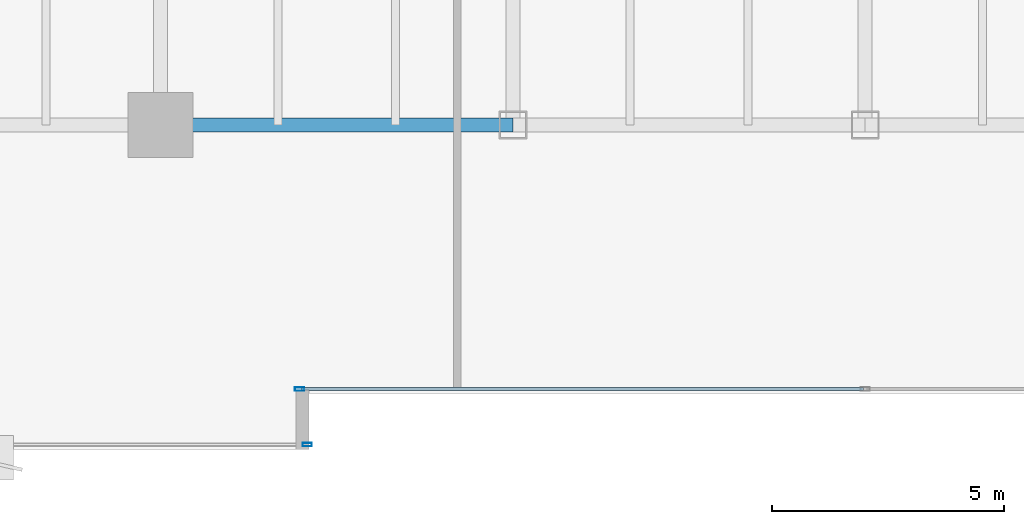
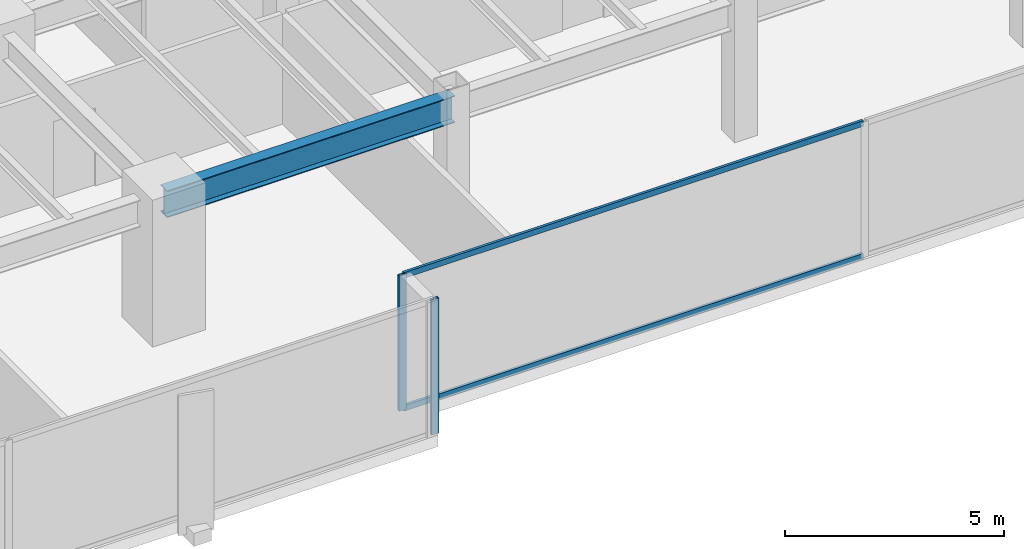
# One storey, part 4 of 36: 4 members, 1 beam, 2 elements without a shape of their own.
"""IFC4 building model written with IfcOpenShell, lengths in metres."""

from ifc_helpers import new_model, si_unit, direction, frame, origin, origin_2d, place, context, subcontext, project, spatial, hollow_rectangle, i_section, extrude, source, transform, mapped, material, layer, layer_set, material_profile, profile_set, type_object, type_shapes, element, aggregate, save


model = new_model("IFC4")

# Units and contexts
model_context = context("Model", 3, precision=1e-05, world=origin(), true_north=direction((0.0, 1.0)))
body_context = subcontext(model_context, "Body", "Model", "MODEL_VIEW")
ifc_project = project(units=[si_unit("LENGTHUNIT", "METRE"), si_unit("AREAUNIT", "SQUARE_METRE"), si_unit("VOLUMEUNIT", "CUBIC_METRE"), si_unit("PLANEANGLEUNIT", "RADIAN"), si_unit("MASSUNIT", "GRAM", prefix="KILO")], contexts=[model_context])

# Site, building, storey
site_placement = place(None, origin())
site = spatial("IfcSite", under=ifc_project, at=site_placement, CompositionType="ELEMENT")
building_placement = place(site_placement, origin())
building = spatial("IfcBuilding", under=site, at=building_placement, Name="Haelvirn Gate Laboratories", CompositionType="ELEMENT")
storey_placement = place(building_placement, frame((0.0, 0.0, 29.300048828125)))
storey = spatial("IfcBuildingStorey", under=building, at=storey_placement, Name="L07", CompositionType="ELEMENT", Elevation=29.300048828125)

# Beam
ifc_material_1 = material(Name="Steel SM355", Category="steel")
ifc_material_profile_1 = material_profile(ifc_material_1, i_section(OverallWidth=0.300048828125, OverallDepth=0.75, WebThickness=0.013916015625, FlangeThickness=0.02392578125, at=origin_2d()), Name="H-750x300x14x24")
ifc_profile_set_1 = profile_set([ifc_material_profile_1], Name="Steel SM355")
beam_type = type_object("IfcBeamType", Name="BM-G-750", PredefinedType="BEAM", material=ifc_profile_set_1)
shared_shape_1 = source(origin(), body_context, "Body", "SweptSolid", [
    extrude(i_section(OverallWidth=0.300048828125, OverallDepth=0.75, WebThickness=0.013916015625, FlangeThickness=0.02392578125, at=origin_2d()), origin(), (0.0, 0.0, 1.0), 7.60009765625),
])
type_shapes(beam_type, [shared_shape_1])
beam_placement = place(storey_placement, frame((22.199951171875, 7.0, 3.405029296875), z_axis=(1.0, 0.0, 0.0), x_axis=(0.0, 1.0, 0.0)))
element("IfcBeam", 1, at=beam_placement, inside=storey, type_object=beam_type, Name="L07 Primary Girder Y7.0 (22.2-29.8)", PredefinedType="BEAM", context=body_context, shape_type="MappedRepresentation", body=[
    mapped(shared_shape_1, transform((0.0, 0.0, 0.0), scale=1.0)),
])

# Curtain wall, member
ifc_material_2 = material(Name="Anodised bronze unitised aluminium & triple low-E glass", Category="aluminium")
ifc_layer = layer(ifc_material_2, 0.18408203125, Name="CW-SYS-2")
ifc_layer_set = layer_set([ifc_layer], Name="Anodised bronze unitised aluminium & triple low-E glass")
curtain_wall_type = type_object("IfcCurtainWallType", Name="CW-SYS-2", PredefinedType="NOTDEFINED", material=ifc_layer_set)
curtain_wall_1_placement = place(storey_placement, origin())
curtain_wall_1 = element("IfcCurtainWall", 2, at=curtain_wall_1_placement, inside=storey, type_object=curtain_wall_type, Name="L07 Unitised Curtain Wall CW-L07-P0-E00-1", PredefinedType="NOTDEFINED")
ifc_material_3 = material(Name="Extruded aluminium 6063-T6 (anodised bronze)", Category="aluminium")
ifc_material_profile_2 = material_profile(ifc_material_3, hollow_rectangle(XDim=0.074951171875, YDim=0.199951171875, WallThickness=0.0048828125, at=origin_2d()), Name="CWM-200x75x5")
ifc_profile_set_2 = profile_set([ifc_material_profile_2], Name="Extruded aluminium 6063-T6 (anodised bronze)")
member_type_1 = type_object("IfcMemberType", Name="CWM-T200", PredefinedType="MULLION", material=ifc_profile_set_2)
shared_shape_2 = source(origin(), body_context, "Body", "SweptSolid", [
    extrude(hollow_rectangle(XDim=0.074951171875, YDim=0.199951171875, WallThickness=0.0048828125, at=origin_2d()), origin(), (0.0, 0.0, 1.0), 3.780029296875),
])
type_shapes(member_type_1, [shared_shape_2])
member_1_placement = place(storey_placement, frame((25.362548828125, 0.10009765625, 0.0), z_axis=(0.0, 0.0, 1.0), x_axis=(0.0, 1.0, 0.0)))
member_1 = element("IfcMember", 3, at=member_1_placement, type_object=member_type_1, Name="CW2 mullion 3", PredefinedType="MULLION", context=body_context, shape_type="MappedRepresentation", body=[
    mapped(shared_shape_2, transform((0.0, 0.0, 0.0), scale=1.0)),
])
aggregate(curtain_wall_1, [member_1])

# Curtain wall, members
curtain_wall_2_placement = place(storey_placement, origin())
curtain_wall_2 = element("IfcCurtainWall", 4, at=curtain_wall_2_placement, inside=storey, type_object=curtain_wall_type, Name="L07 Unitised Curtain Wall CW-L07-P0-E02-1", PredefinedType="NOTDEFINED")
member_2_placement = place(storey_placement, frame((25.197509765625, 1.300048828125, 0.0), z_axis=(0.0, 0.0, 1.0), x_axis=(0.0, 1.0, 0.0)))
member_2 = element("IfcMember", 5, at=member_2_placement, type_object=member_type_1, Name="CW2 mullion 1", PredefinedType="MULLION", context=body_context, shape_type="MappedRepresentation", body=[
    mapped(shared_shape_2, transform((0.0, 0.0, 0.0), scale=1.0)),
])
ifc_material_profile_3 = material_profile(ifc_material_3, hollow_rectangle(XDim=0.070068359375, YDim=0.159912109375, WallThickness=0.0048828125, at=origin_2d()), Name="CWT-160x70x5")
ifc_profile_set_3 = profile_set([ifc_material_profile_3], Name="Extruded aluminium 6063-T6 (anodised bronze)")
member_type_2 = type_object("IfcMemberType", Name="CWT-T160", PredefinedType="USERDEFINED", material=ifc_profile_set_3)
shared_shape_3 = source(origin(), body_context, "Body", "SweptSolid", [
    extrude(hollow_rectangle(XDim=0.070068359375, YDim=0.159912109375, WallThickness=0.0048828125, at=origin_2d()), origin(), (0.0, 0.0, 1.0), 12.12744140625),
])
type_shapes(member_type_2, [shared_shape_3])
member_3_placement = place(storey_placement, frame((25.235107421875, 1.300048828125, 0.034912109375), z_axis=(1.0, 0.0, 0.0), x_axis=(0.0, 1.0, 0.0)))
member_3 = element("IfcMember", 6, at=member_3_placement, type_object=member_type_2, Name="CW2 transom 1.1", ObjectType="TRANSOM", PredefinedType="USERDEFINED", context=body_context, shape_type="MappedRepresentation", body=[
    mapped(shared_shape_3, transform((0.0, 0.0, 0.0), scale=1.0)),
])
member_4_placement = place(storey_placement, frame((25.235107421875, 1.300048828125, 3.744873046875), z_axis=(1.0, 0.0, 0.0), x_axis=(0.0, 1.0, 0.0)))
member_4 = element("IfcMember", 7, at=member_4_placement, type_object=member_type_2, Name="CW2 transom 1.2", ObjectType="TRANSOM", PredefinedType="USERDEFINED", context=body_context, shape_type="MappedRepresentation", body=[
    mapped(shared_shape_3, transform((0.0, 0.0, 0.0), scale=1.0)),
])
aggregate(curtain_wall_2, [member_2, member_3, member_4])

save(model, "model.ifc")
